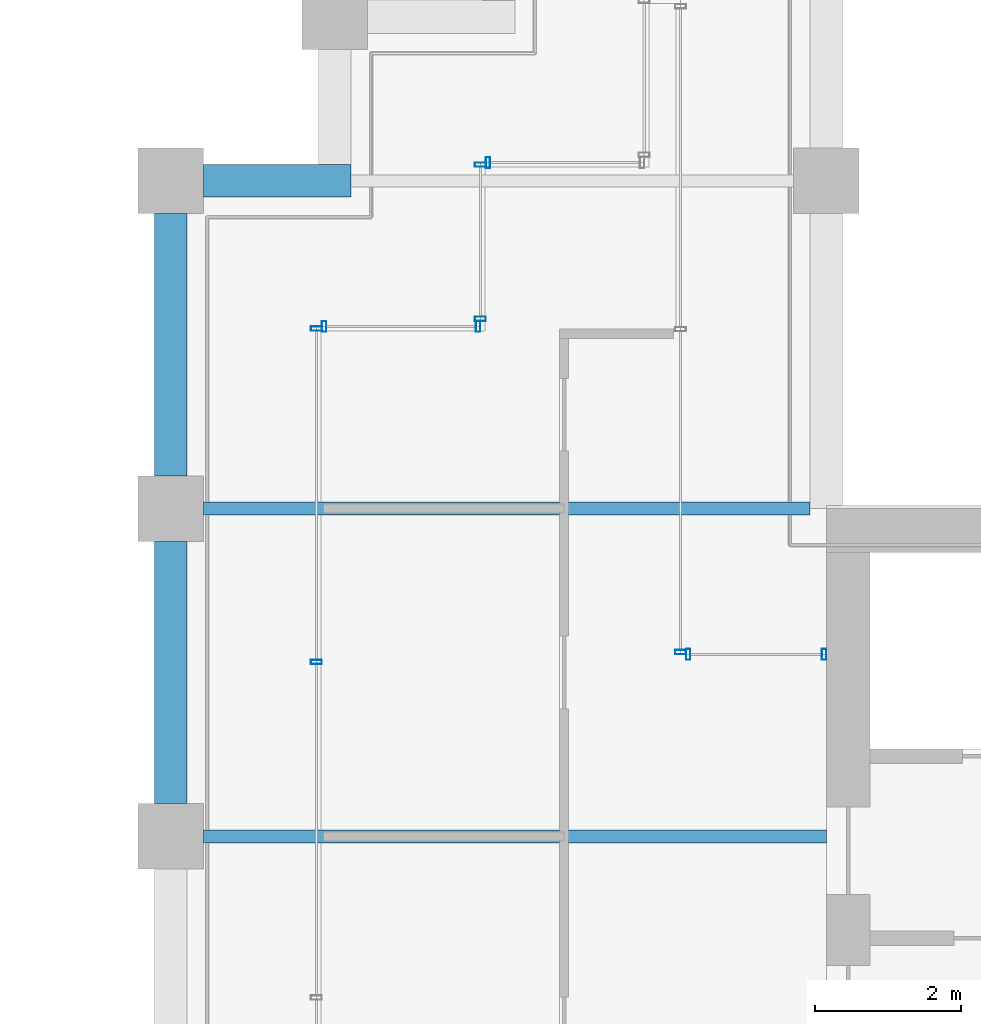
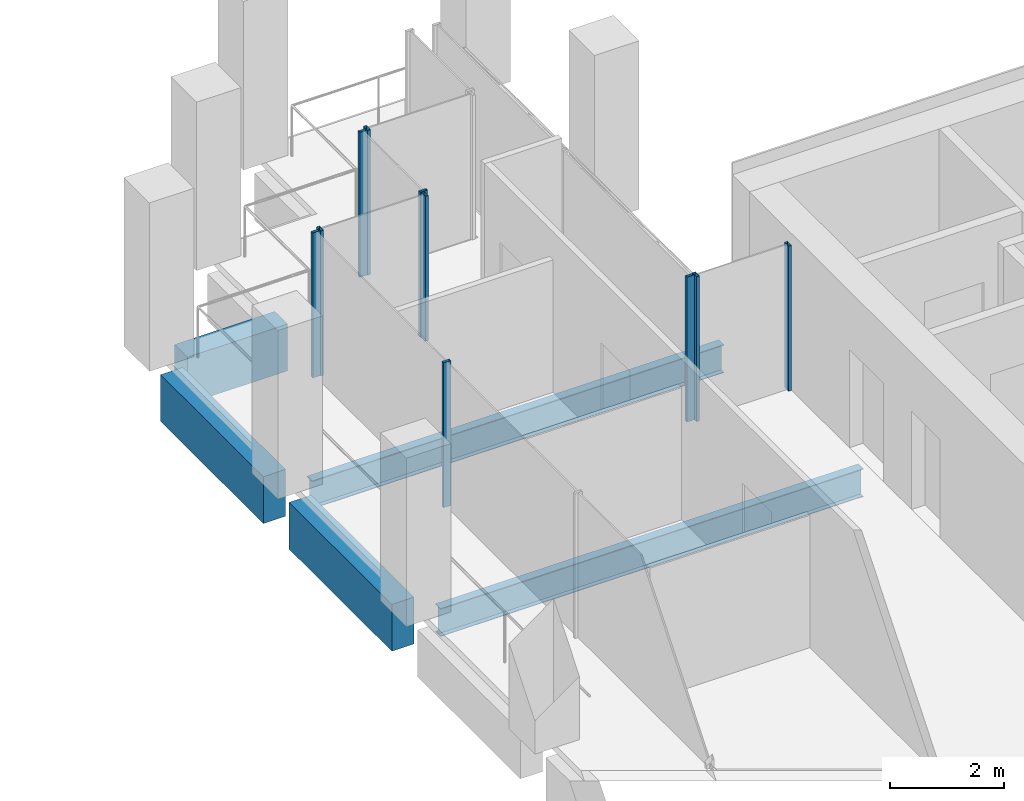
# One storey, part 32 of 40: 10 members, 5 beams, 6 elements without a shape of their own.
"""IFC4 building model written with IfcOpenShell, lengths in metres."""

from ifc_helpers import new_model, si_unit, direction, frame, origin, origin_2d, place, context, subcontext, project, spatial, rectangle, hollow_rectangle, i_section, extrude, material, material_profile, profile_set, type_object, element, aggregate, save


model = new_model("IFC4")

# Units and contexts
model_context = context("Model", 3, precision=1e-05, world=origin(), true_north=direction((0.0, 1.0)))
body_context = subcontext(model_context, "Body", "Model", "MODEL_VIEW")
ifc_project = project(units=[si_unit("LENGTHUNIT", "METRE"), si_unit("AREAUNIT", "SQUARE_METRE"), si_unit("VOLUMEUNIT", "CUBIC_METRE"), si_unit("PLANEANGLEUNIT", "RADIAN"), si_unit("MASSUNIT", "GRAM", prefix="KILO")], contexts=[model_context])

# Site, building, storey
site_placement = place(None, origin())
site = spatial("IfcSite", under=ifc_project, at=site_placement, CompositionType="ELEMENT")
building_placement = place(site_placement, origin())
building = spatial("IfcBuilding", under=site, at=building_placement, Name="Altepetl Exchange Towers", CompositionType="ELEMENT")
storey_placement = place(building_placement, frame((0.0, 0.0, 147.39990234375)))
storey = spatial("IfcBuildingStorey", under=building, at=storey_placement, Name="L36", CompositionType="ELEMENT", Elevation=147.39990234375)

# Beams
ifc_material_1 = material(Name="Steel S355", Category="steel")
ifc_material_profile_1 = material_profile(ifc_material_1, i_section(OverallWidth=0.177978515625, OverallDepth=0.59912109375, WebThickness=0.010009765625, FlangeThickness=0.0126953125, at=origin_2d()), Name="W24X55")
ifc_profile_set_1 = profile_set([ifc_material_profile_1], Name="Steel S355")
beam_type_1 = type_object("IfcBeamType", Name="Floor beam W24X55", PredefinedType="BEAM", material=ifc_profile_set_1)
beam_1_placement = place(storey_placement, frame((94.949951171875, 45.0, -0.449462890625), z_axis=(1.0, 0.0, 0.0), x_axis=(0.0, 1.0, 0.0)))
element("IfcBeam", 1, at=beam_1_placement, inside=storey, type_object=beam_type_1, Name="bm:B:L36:005", PredefinedType="BEAM", context=body_context, shape_type="SweptSolid", body=[
    extrude(i_section(OverallWidth=0.177978515625, OverallDepth=0.59912109375, WebThickness=0.010009765625, FlangeThickness=0.0126953125, at=origin_2d()), origin(), (0.0, 0.0, 1.0), 8.550048828125),
])
beam_2_placement = place(storey_placement, frame((94.949951171875, 49.5, -0.449462890625), z_axis=(1.0, 0.0, 0.0), x_axis=(0.0, 1.0, 0.0)))
element("IfcBeam", 2, at=beam_2_placement, inside=storey, type_object=beam_type_1, Name="bm:B:L36:006", PredefinedType="BEAM", context=body_context, shape_type="SweptSolid", body=[
    extrude(i_section(OverallWidth=0.177978515625, OverallDepth=0.59912109375, WebThickness=0.010009765625, FlangeThickness=0.0126953125, at=origin_2d()), origin(), (0.0, 0.0, 1.0), 8.324951171875),
])

# Curtain wall, members
ifc_material_2 = material(Name="Aluminium 6063-T6 glazing", Category="aluminium")
curtain_wall_type = type_object("IfcCurtainWallType", Name="Loggia glazing system", PredefinedType="NOTDEFINED", material=ifc_material_2)
curtain_wall_1_placement = place(storey_placement, origin())
curtain_wall_1 = element("IfcCurtainWall", 3, at=curtain_wall_1_placement, inside=storey, type_object=curtain_wall_type, Name="CW1 run", PredefinedType="NOTDEFINED")
ifc_material_3 = material(Name="Aluminium 6063-T6", Category="aluminium")
ifc_material_profile_2 = material_profile(ifc_material_3, hollow_rectangle(XDim=0.06005859375, YDim=0.14990234375, WallThickness=0.0029296875, at=origin_2d()), Name="Mullion 60x150 aluminium")
ifc_profile_set_2 = profile_set([ifc_material_profile_2], Name="Aluminium 6063-T6")
member_type = type_object("IfcMemberType", Name="Mullion 60x150 aluminium", PredefinedType="MULLION", material=ifc_profile_set_2)
member_1_placement = place(storey_placement, frame((103.469970703125, 47.5, 0.0), z_axis=(0.0, 0.0, 1.0), x_axis=(-1.0, 0.0, 0.0)))
member_1 = element("IfcMember", 4, at=member_1_placement, type_object=member_type, Name="MU1 mullion", PredefinedType="MULLION", context=body_context, shape_type="SweptSolid", body=[
    extrude(hollow_rectangle(XDim=0.06005859375, YDim=0.14990234375, WallThickness=0.0029296875, at=origin_2d()), origin(), (0.0, 0.0, 1.0), 3.10009765625),
])
member_2_placement = place(storey_placement, frame((101.60498046875, 47.5, 0.0), z_axis=(0.0, 0.0, 1.0), x_axis=(-1.0, 0.0, 0.0)))
member_2 = element("IfcMember", 5, at=member_2_placement, type_object=member_type, Name="MU1 mullion", PredefinedType="MULLION", context=body_context, shape_type="SweptSolid", body=[
    extrude(hollow_rectangle(XDim=0.06005859375, YDim=0.14990234375, WallThickness=0.0029296875, at=origin_2d()), origin(), (0.0, 0.0, 1.0), 3.10009765625),
])
aggregate(curtain_wall_1, [member_1, member_2])

# Curtain wall, member
curtain_wall_2_placement = place(storey_placement, origin())
curtain_wall_2 = element("IfcCurtainWall", 6, at=curtain_wall_2_placement, inside=storey, type_object=curtain_wall_type, Name="CW1 run", PredefinedType="NOTDEFINED")
member_3_placement = place(storey_placement, frame((101.5, 47.530029296875, 0.0), z_axis=(0.0, 0.0, 1.0), x_axis=(0.0, 1.0, 0.0)))
member_3 = element("IfcMember", 7, at=member_3_placement, type_object=member_type, Name="MU1 mullion", PredefinedType="MULLION", context=body_context, shape_type="SweptSolid", body=[
    extrude(hollow_rectangle(XDim=0.06005859375, YDim=0.14990234375, WallThickness=0.0029296875, at=origin_2d()), origin(), (0.0, 0.0, 1.0), 3.10009765625),
])
aggregate(curtain_wall_2, [member_3])

curtain_wall_3_placement = place(storey_placement, origin())
curtain_wall_3 = element("IfcCurtainWall", 8, at=curtain_wall_3_placement, inside=storey, type_object=curtain_wall_type, Name="CW1 run", PredefinedType="NOTDEFINED")
member_4_placement = place(storey_placement, frame((98.85498046875, 54.25, 0.0), z_axis=(0.0, 0.0, 1.0), x_axis=(-1.0, 0.0, 0.0)))
member_4 = element("IfcMember", 9, at=member_4_placement, type_object=member_type, Name="MU1 mullion", PredefinedType="MULLION", context=body_context, shape_type="SweptSolid", body=[
    extrude(hollow_rectangle(XDim=0.06005859375, YDim=0.14990234375, WallThickness=0.0029296875, at=origin_2d()), origin(), (0.0, 0.0, 1.0), 3.10009765625),
])
aggregate(curtain_wall_3, [member_4])

# Curtain wall, members
curtain_wall_4_placement = place(storey_placement, origin())
curtain_wall_4 = element("IfcCurtainWall", 10, at=curtain_wall_4_placement, inside=storey, type_object=curtain_wall_type, Name="CW1 run", PredefinedType="NOTDEFINED")
member_5_placement = place(storey_placement, frame((98.75, 54.219970703125, 0.0), z_axis=(0.0, 0.0, 1.0), x_axis=(0.0, -1.0, 0.0)))
member_5 = element("IfcMember", 11, at=member_5_placement, type_object=member_type, Name="MU1 mullion", PredefinedType="MULLION", context=body_context, shape_type="SweptSolid", body=[
    extrude(hollow_rectangle(XDim=0.06005859375, YDim=0.14990234375, WallThickness=0.0029296875, at=origin_2d()), origin(), (0.0, 0.0, 1.0), 3.10009765625),
])
member_6_placement = place(storey_placement, frame((98.75, 52.10498046875, 0.0), z_axis=(0.0, 0.0, 1.0), x_axis=(0.0, -1.0, 0.0)))
member_6 = element("IfcMember", 12, at=member_6_placement, type_object=member_type, Name="MU1 mullion", PredefinedType="MULLION", context=body_context, shape_type="SweptSolid", body=[
    extrude(hollow_rectangle(XDim=0.06005859375, YDim=0.14990234375, WallThickness=0.0029296875, at=origin_2d()), origin(), (0.0, 0.0, 1.0), 3.10009765625),
])
aggregate(curtain_wall_4, [member_5, member_6])

curtain_wall_5_placement = place(storey_placement, origin())
curtain_wall_5 = element("IfcCurtainWall", 13, at=curtain_wall_5_placement, inside=storey, type_object=curtain_wall_type, Name="CW1 run", PredefinedType="NOTDEFINED")
member_7_placement = place(storey_placement, frame((98.719970703125, 52.0, 0.0), z_axis=(0.0, 0.0, 1.0), x_axis=(-1.0, 0.0, 0.0)))
member_7 = element("IfcMember", 14, at=member_7_placement, type_object=member_type, Name="MU1 mullion", PredefinedType="MULLION", context=body_context, shape_type="SweptSolid", body=[
    extrude(hollow_rectangle(XDim=0.06005859375, YDim=0.14990234375, WallThickness=0.0029296875, at=origin_2d()), origin(), (0.0, 0.0, 1.0), 3.10009765625),
])
member_8_placement = place(storey_placement, frame((96.60498046875, 52.0, 0.0), z_axis=(0.0, 0.0, 1.0), x_axis=(-1.0, 0.0, 0.0)))
member_8 = element("IfcMember", 15, at=member_8_placement, type_object=member_type, Name="MU1 mullion", PredefinedType="MULLION", context=body_context, shape_type="SweptSolid", body=[
    extrude(hollow_rectangle(XDim=0.06005859375, YDim=0.14990234375, WallThickness=0.0029296875, at=origin_2d()), origin(), (0.0, 0.0, 1.0), 3.10009765625),
])
aggregate(curtain_wall_5, [member_7, member_8])

curtain_wall_6_placement = place(storey_placement, origin())
curtain_wall_6 = element("IfcCurtainWall", 16, at=curtain_wall_6_placement, inside=storey, type_object=curtain_wall_type, Name="CW1 run", PredefinedType="NOTDEFINED")
member_9_placement = place(storey_placement, frame((96.5, 51.969970703125, 0.0), z_axis=(0.0, 0.0, 1.0), x_axis=(0.0, -1.0, 0.0)))
member_9 = element("IfcMember", 17, at=member_9_placement, type_object=member_type, Name="MU1 mullion", PredefinedType="MULLION", context=body_context, shape_type="SweptSolid", body=[
    extrude(hollow_rectangle(XDim=0.06005859375, YDim=0.14990234375, WallThickness=0.0029296875, at=origin_2d()), origin(), (0.0, 0.0, 1.0), 3.10009765625),
])
member_10_placement = place(storey_placement, frame((96.5, 47.393798828125, 0.0), z_axis=(0.0, 0.0, 1.0), x_axis=(0.0, -1.0, 0.0)))
member_10 = element("IfcMember", 18, at=member_10_placement, type_object=member_type, Name="MU1 mullion", PredefinedType="MULLION", context=body_context, shape_type="SweptSolid", body=[
    extrude(hollow_rectangle(XDim=0.06005859375, YDim=0.14990234375, WallThickness=0.0029296875, at=origin_2d()), origin(), (0.0, 0.0, 1.0), 3.10009765625),
])
aggregate(curtain_wall_6, [member_9, member_10])

# Beams
ifc_material_4 = material(Name="Concrete C50/60 precast with cantera rosa facing", Category="concrete")
ifc_material_profile_3 = material_profile(ifc_material_4, rectangle(XDim=0.449951171875, YDim=1.0, at=origin_2d()), Name="450 x 1000")
ifc_profile_set_3 = profile_set([ifc_material_profile_3], Name="Concrete C50/60 precast with cantera rosa facing")
beam_type_2 = type_object("IfcBeamType", Name="Spandrel beam 450x1000 cantera rosa", PredefinedType="SPANDREL", material=ifc_profile_set_3)
beam_3_placement = place(storey_placement, frame((96.97509765625, 54.0, -0.64990234375), z_axis=(-1.0, 0.0, 0.0), x_axis=(0.0, -1.0, 0.0)))
element("IfcBeam", 19, at=beam_3_placement, inside=storey, type_object=beam_type_2, Name="sp:B:L36:014", PredefinedType="SPANDREL", context=body_context, shape_type="SweptSolid", body=[
    extrude(rectangle(XDim=0.449951171875, YDim=1.0, at=origin_2d()), origin(), (0.0, 0.0, 1.0), 2.025146484375),
])
for number, where, z_axis, x_axis, name in (
    (20, (94.5, 53.550048828125, -0.64990234375), (0.0, -1.0, 0.0), (1.0, 0.0, 0.0), "sp:B:L36:015"),
    (21, (94.5, 49.050048828125, -0.64990234375), (0.0, -1.0, 0.0), (1.0, 0.0, 0.0), "sp:B:L36:016"),
):
    element("IfcBeam", number, at=place(storey_placement, frame(where, z_axis=z_axis, x_axis=x_axis)), inside=storey, type_object=beam_type_2, Name=name, PredefinedType="SPANDREL", context=body_context, shape_type="SweptSolid", body=[
        extrude(rectangle(XDim=0.449951171875, YDim=1.0, at=origin_2d()), origin(), (0.0, 0.0, 1.0), 3.60009765625),
    ])

save(model, "model.ifc")
